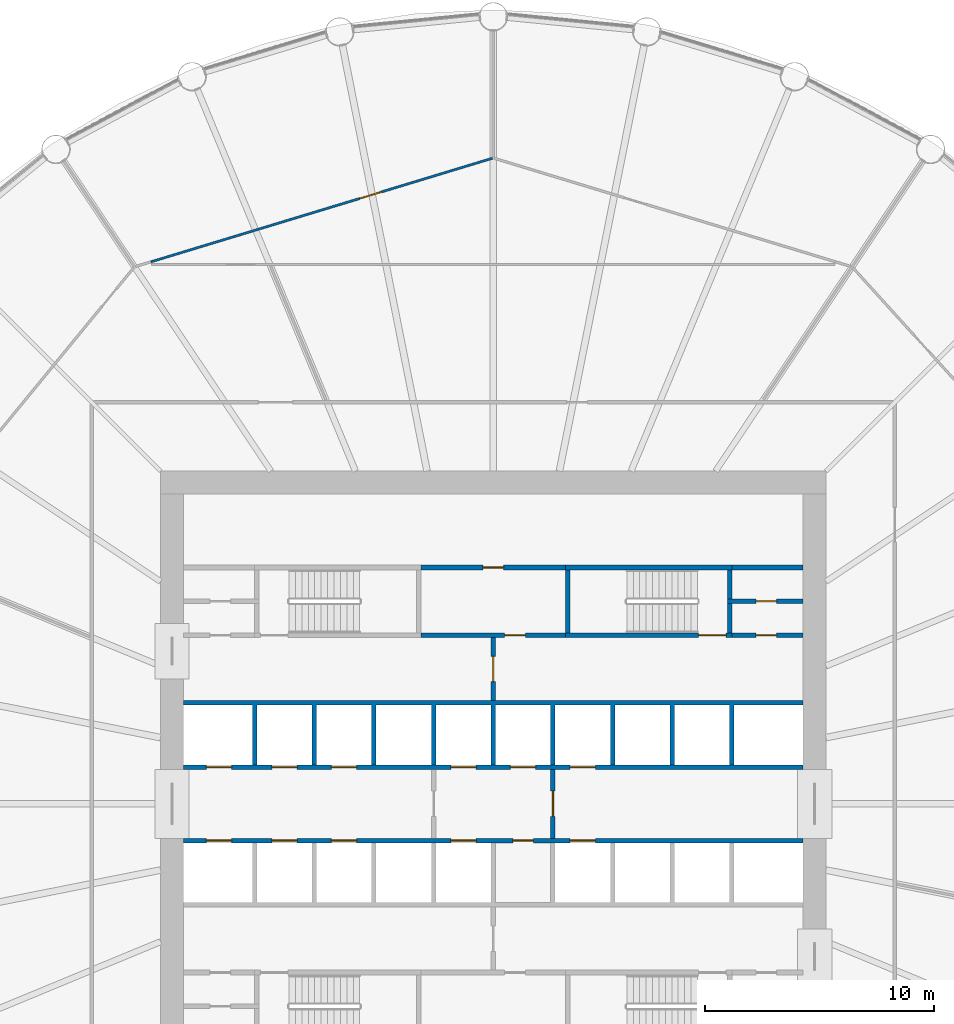
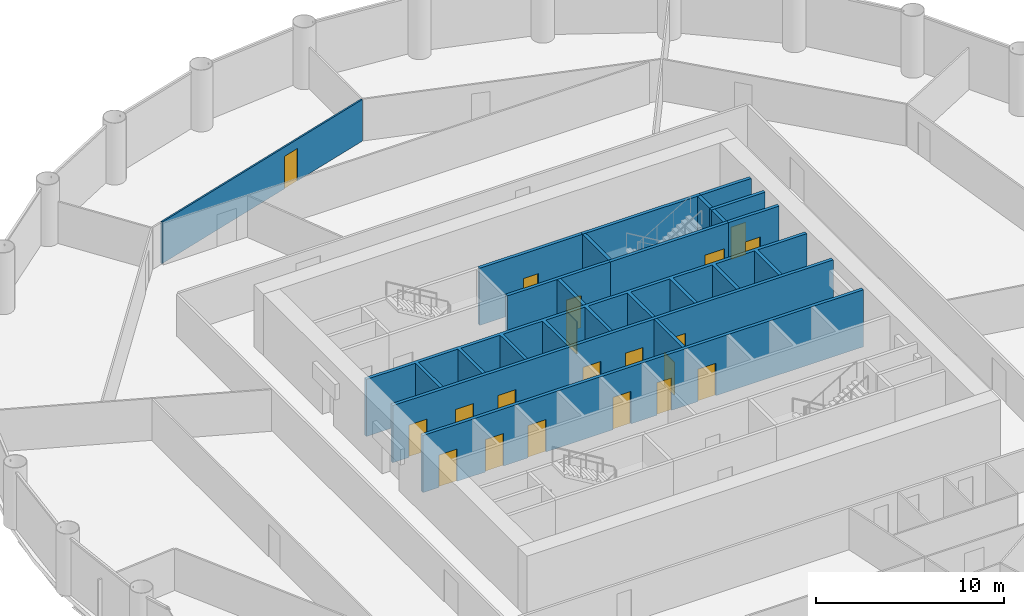
# One storey, part 6 of 8: 20 doors, 16 walls, 20 openings.
"""IFC4 building model written with IfcOpenShell, lengths in metres."""

from ifc_helpers import new_model, si_unit, direction, frame, frame_2d, origin, place, context, subcontext, project, spatial, polyline, rectangle, outline, extrude, material, layer, layer_set, type_object, element, fill, save


model = new_model("IFC4")

# Units and contexts
model_context = context("Model", 3, precision=1e-05, world=origin(), true_north=direction((0.0, 1.0)))
body_context = subcontext(model_context, "Body", "Model", "MODEL_VIEW")
ifc_project = project(units=[si_unit("LENGTHUNIT", "METRE"), si_unit("AREAUNIT", "SQUARE_METRE"), si_unit("VOLUMEUNIT", "CUBIC_METRE"), si_unit("PLANEANGLEUNIT", "RADIAN"), si_unit("MASSUNIT", "GRAM", prefix="KILO")], contexts=[model_context])

# Site, building, storey
site_placement = place(None, origin())
site = spatial("IfcSite", under=ifc_project, at=site_placement, CompositionType="ELEMENT")
building_placement = place(site_placement, origin())
building = spatial("IfcBuilding", under=site, at=building_placement, Name="Corvane Civic Tower", CompositionType="ELEMENT")
storey_placement = place(building_placement, frame((0.0, 0.0, 94.5)))
storey = spatial("IfcBuildingStorey", under=building, at=storey_placement, Name="L21", CompositionType="ELEMENT", Elevation=94.5)

# Wall, openings, doors
ifc_material_1 = material(Name="Concrete C30/37", Category="concrete")
ifc_layer_1 = layer(ifc_material_1, 0.199951171875)
ifc_layer_set_1 = layer_set([ifc_layer_1], Name="Concrete C30/37")
wall_type_1 = type_object("IfcWallType", Name="CR-WALL-200", PredefinedType="PARTITIONING", material=ifc_layer_set_1)
wall_1_placement = place(storey_placement, frame((-13.5, -1.60009765625, 0.0), z_axis=(0.0, 0.0, 1.0), x_axis=(1.0, 0.0, 0.0)))
wall_1 = element("IfcWall", 1, at=wall_1_placement, inside=storey, type_object=wall_type_1, Name="L21 lift shaft wall", PredefinedType="PARTITIONING", context=body_context, shape_type="SweptSolid", body=[
    extrude(rectangle(XDim=27.0, YDim=0.199951171875, at=frame_2d((13.5, 0.0))), origin(), (0.0, 0.0, 1.0), 3.699951171875),
])
opening_1_placement = place(wall_1_placement, frame((1.0, 0.0, 0.0)))
opening_1 = element("IfcOpeningElement", 2, at=opening_1_placement, cuts=wall_1, Name="Opening LD", PredefinedType="OPENING", context=body_context, shape_type="SweptSolid", body=[
    extrude(rectangle(XDim=1.10009765625, YDim=2.10009765625, at=frame_2d((0.550048828125, 1.050048828125))), frame((0.0, 0.10986328125, 0.0), z_axis=(0.0, -1.0, 0.0), x_axis=(1.0, 0.0, 0.0)), (0.0, 0.0, 1.0), 0.219970703125),
])
opening_2_placement = place(wall_1_placement, frame((3.85009765625, 0.0, 0.0)))
opening_2 = element("IfcOpeningElement", 3, at=opening_2_placement, cuts=wall_1, Name="Opening LD", PredefinedType="OPENING", context=body_context, shape_type="SweptSolid", body=[
    extrude(rectangle(XDim=1.10009765625, YDim=2.10009765625, at=frame_2d((0.550048828125, 1.050048828125))), frame((0.0, 0.10986328125, 0.0), z_axis=(0.0, -1.0, 0.0), x_axis=(1.0, 0.0, 0.0)), (0.0, 0.0, 1.0), 0.219970703125),
])
opening_3_placement = place(wall_1_placement, frame((6.449951171875, 0.0, 0.0)))
opening_3 = element("IfcOpeningElement", 4, at=opening_3_placement, cuts=wall_1, Name="Opening LD", PredefinedType="OPENING", context=body_context, shape_type="SweptSolid", body=[
    extrude(rectangle(XDim=1.10009765625, YDim=2.10009765625, at=frame_2d((0.550048828125, 1.050048828125))), frame((0.0, 0.10986328125, 0.0), z_axis=(0.0, -1.0, 0.0), x_axis=(1.0, 0.0, 0.0)), (0.0, 0.0, 1.0), 0.219970703125),
])
opening_4_placement = place(wall_1_placement, frame((11.64990234375, 0.0, 0.0)))
opening_4 = element("IfcOpeningElement", 5, at=opening_4_placement, cuts=wall_1, Name="Opening LD", PredefinedType="OPENING", context=body_context, shape_type="SweptSolid", body=[
    extrude(rectangle(XDim=1.10009765625, YDim=2.10009765625, at=frame_2d((0.550048828125, 1.050048828125))), frame((0.0, 0.10986328125, 0.0), z_axis=(0.0, -1.0, 0.0), x_axis=(1.0, 0.0, 0.0)), (0.0, 0.0, 1.0), 0.219970703125),
])
opening_5_placement = place(wall_1_placement, frame((14.35009765625, 0.0, 0.0)))
opening_5 = element("IfcOpeningElement", 6, at=opening_5_placement, cuts=wall_1, Name="Opening L21.C01", PredefinedType="OPENING", context=body_context, shape_type="SweptSolid", body=[
    extrude(rectangle(XDim=0.89990234375, YDim=2.10009765625, at=frame_2d((0.449951171875, 1.050048828125))), frame((0.0, 0.10986328125, 0.0), z_axis=(0.0, -1.0, 0.0), x_axis=(1.0, 0.0, 0.0)), (0.0, 0.0, 1.0), 0.219970703125),
])
opening_6_placement = place(wall_1_placement, frame((16.85009765625, 0.0, 0.0)))
opening_6 = element("IfcOpeningElement", 7, at=opening_6_placement, cuts=wall_1, Name="Opening LD", PredefinedType="OPENING", context=body_context, shape_type="SweptSolid", body=[
    extrude(rectangle(XDim=1.10009765625, YDim=2.10009765625, at=frame_2d((0.550048828125, 1.050048828125))), frame((0.0, 0.10986328125, 0.0), z_axis=(0.0, -1.0, 0.0), x_axis=(1.0, 0.0, 0.0)), (0.0, 0.0, 1.0), 0.219970703125),
])
ifc_material_2 = material(Name="Steel fire door leaf", Category="steel")
door_type_1 = type_object("IfcDoorType", Name="CR-DOOR-900", OperationType="SINGLE_SWING_LEFT", PredefinedType="DOOR", material=ifc_material_2)
door_1_placement = place(opening_5_placement, origin())
door_1 = element("IfcDoor", 8, at=door_1_placement, inside=storey, type_object=door_type_1, Name="L21 door", OperationType="SINGLE_SWING_LEFT", OverallHeight=2.10009765625, OverallWidth=0.89990234375, PredefinedType="DOOR", context=body_context, shape_type="SweptSolid", body=[
    extrude(rectangle(XDim=0.89990234375, YDim=2.10009765625, at=frame_2d((0.449951171875, 1.050048828125))), frame((0.0, 0.02490234375, 0.0), z_axis=(0.0, -1.0, 0.0), x_axis=(1.0, 0.0, 0.0)), (0.0, 0.0, 1.0), 0.050048828125),
])
fill(opening_5, door_1)
ifc_material_3 = material(Name="Stainless steel 316 door leaves", Category="steel")
door_type_2 = type_object("IfcDoorType", Name="LD", OperationType="DOUBLE_DOOR_SLIDING", PredefinedType="DOOR", material=ifc_material_3)
door_2_placement = place(opening_1_placement, origin())
door_2 = element("IfcDoor", 9, at=door_2_placement, inside=storey, type_object=door_type_2, Name="L21 landing door", OperationType="DOUBLE_DOOR_SLIDING", OverallHeight=2.10009765625, OverallWidth=1.10009765625, PredefinedType="DOOR", context=body_context, shape_type="SweptSolid", body=[
    extrude(rectangle(XDim=1.10009765625, YDim=2.10009765625, at=frame_2d((0.550048828125, 1.050048828125))), frame((0.0, 0.02490234375, 0.0), z_axis=(0.0, -1.0, 0.0), x_axis=(1.0, 0.0, 0.0)), (0.0, 0.0, 1.0), 0.050048828125),
])
fill(opening_1, door_2)
door_3_placement = place(opening_2_placement, origin())
door_3 = element("IfcDoor", 10, at=door_3_placement, inside=storey, type_object=door_type_2, Name="L21 landing door", OperationType="DOUBLE_DOOR_SLIDING", OverallHeight=2.10009765625, OverallWidth=1.10009765625, PredefinedType="DOOR", context=body_context, shape_type="SweptSolid", body=[
    extrude(rectangle(XDim=1.10009765625, YDim=2.10009765625, at=frame_2d((0.550048828125, 1.050048828125))), frame((0.0, 0.02490234375, 0.0), z_axis=(0.0, -1.0, 0.0), x_axis=(1.0, 0.0, 0.0)), (0.0, 0.0, 1.0), 0.050048828125),
])
fill(opening_2, door_3)
door_4_placement = place(opening_3_placement, origin())
door_4 = element("IfcDoor", 11, at=door_4_placement, inside=storey, type_object=door_type_2, Name="L21 landing door", OperationType="DOUBLE_DOOR_SLIDING", OverallHeight=2.10009765625, OverallWidth=1.10009765625, PredefinedType="DOOR", context=body_context, shape_type="SweptSolid", body=[
    extrude(rectangle(XDim=1.10009765625, YDim=2.10009765625, at=frame_2d((0.550048828125, 1.050048828125))), frame((0.0, 0.02490234375, 0.0), z_axis=(0.0, -1.0, 0.0), x_axis=(1.0, 0.0, 0.0)), (0.0, 0.0, 1.0), 0.050048828125),
])
fill(opening_3, door_4)
door_5_placement = place(opening_4_placement, origin())
door_5 = element("IfcDoor", 12, at=door_5_placement, inside=storey, type_object=door_type_2, Name="L21 landing door", OperationType="DOUBLE_DOOR_SLIDING", OverallHeight=2.10009765625, OverallWidth=1.10009765625, PredefinedType="DOOR", context=body_context, shape_type="SweptSolid", body=[
    extrude(rectangle(XDim=1.10009765625, YDim=2.10009765625, at=frame_2d((0.550048828125, 1.050048828125))), frame((0.0, 0.02490234375, 0.0), z_axis=(0.0, -1.0, 0.0), x_axis=(1.0, 0.0, 0.0)), (0.0, 0.0, 1.0), 0.050048828125),
])
fill(opening_4, door_5)
door_6_placement = place(opening_6_placement, origin())
door_6 = element("IfcDoor", 13, at=door_6_placement, inside=storey, type_object=door_type_2, Name="L21 landing door", OperationType="DOUBLE_DOOR_SLIDING", OverallHeight=2.10009765625, OverallWidth=1.10009765625, PredefinedType="DOOR", context=body_context, shape_type="SweptSolid", body=[
    extrude(rectangle(XDim=1.10009765625, YDim=2.10009765625, at=frame_2d((0.550048828125, 1.050048828125))), frame((0.0, 0.02490234375, 0.0), z_axis=(0.0, -1.0, 0.0), x_axis=(1.0, 0.0, 0.0)), (0.0, 0.0, 1.0), 0.050048828125),
])
fill(opening_6, door_6)

wall_2_placement = place(storey_placement, frame((-13.5, 1.60009765625, 0.0), z_axis=(0.0, 0.0, 1.0), x_axis=(1.0, 0.0, 0.0)))
wall_2 = element("IfcWall", 14, at=wall_2_placement, inside=storey, type_object=wall_type_1, Name="L21 lift shaft wall", PredefinedType="PARTITIONING", context=body_context, shape_type="SweptSolid", body=[
    extrude(rectangle(XDim=27.0, YDim=0.199951171875, at=frame_2d((13.5, 0.0))), origin(), (0.0, 0.0, 1.0), 3.699951171875),
])
opening_7_placement = place(wall_2_placement, frame((1.0, 0.0, 0.0)))
opening_7 = element("IfcOpeningElement", 15, at=opening_7_placement, cuts=wall_2, Name="Opening LD", PredefinedType="OPENING", context=body_context, shape_type="SweptSolid", body=[
    extrude(rectangle(XDim=1.10009765625, YDim=2.10009765625, at=frame_2d((0.550048828125, 1.050048828125))), frame((0.0, 0.10986328125, 0.0), z_axis=(0.0, -1.0, 0.0), x_axis=(1.0, 0.0, 0.0)), (0.0, 0.0, 1.0), 0.219970703125),
])
opening_8_placement = place(wall_2_placement, frame((3.85009765625, 0.0, 0.0)))
opening_8 = element("IfcOpeningElement", 16, at=opening_8_placement, cuts=wall_2, Name="Opening LD", PredefinedType="OPENING", context=body_context, shape_type="SweptSolid", body=[
    extrude(rectangle(XDim=1.10009765625, YDim=2.10009765625, at=frame_2d((0.550048828125, 1.050048828125))), frame((0.0, 0.10986328125, 0.0), z_axis=(0.0, -1.0, 0.0), x_axis=(1.0, 0.0, 0.0)), (0.0, 0.0, 1.0), 0.219970703125),
])
opening_9_placement = place(wall_2_placement, frame((6.449951171875, 0.0, 0.0)))
opening_9 = element("IfcOpeningElement", 17, at=opening_9_placement, cuts=wall_2, Name="Opening LD", PredefinedType="OPENING", context=body_context, shape_type="SweptSolid", body=[
    extrude(rectangle(XDim=1.10009765625, YDim=2.10009765625, at=frame_2d((0.550048828125, 1.050048828125))), frame((0.0, 0.10986328125, 0.0), z_axis=(0.0, -1.0, 0.0), x_axis=(1.0, 0.0, 0.0)), (0.0, 0.0, 1.0), 0.219970703125),
])
opening_10_placement = place(wall_2_placement, frame((11.64990234375, 0.0, 0.0)))
opening_10 = element("IfcOpeningElement", 18, at=opening_10_placement, cuts=wall_2, Name="Opening LD", PredefinedType="OPENING", context=body_context, shape_type="SweptSolid", body=[
    extrude(rectangle(XDim=1.10009765625, YDim=2.10009765625, at=frame_2d((0.550048828125, 1.050048828125))), frame((0.0, 0.10986328125, 0.0), z_axis=(0.0, -1.0, 0.0), x_axis=(1.0, 0.0, 0.0)), (0.0, 0.0, 1.0), 0.219970703125),
])
opening_11_placement = place(wall_2_placement, frame((14.25, 0.0, 0.0)))
opening_11 = element("IfcOpeningElement", 19, at=opening_11_placement, cuts=wall_2, Name="Opening LD", PredefinedType="OPENING", context=body_context, shape_type="SweptSolid", body=[
    extrude(rectangle(XDim=1.10009765625, YDim=2.10009765625, at=frame_2d((0.550048828125, 1.050048828125))), frame((0.0, 0.10986328125, 0.0), z_axis=(0.0, -1.0, 0.0), x_axis=(1.0, 0.0, 0.0)), (0.0, 0.0, 1.0), 0.219970703125),
])
opening_12_placement = place(wall_2_placement, frame((16.85009765625, 0.0, 0.0)))
opening_12 = element("IfcOpeningElement", 20, at=opening_12_placement, cuts=wall_2, Name="Opening LD", PredefinedType="OPENING", context=body_context, shape_type="SweptSolid", body=[
    extrude(rectangle(XDim=1.10009765625, YDim=2.10009765625, at=frame_2d((0.550048828125, 1.050048828125))), frame((0.0, 0.10986328125, 0.0), z_axis=(0.0, -1.0, 0.0), x_axis=(1.0, 0.0, 0.0)), (0.0, 0.0, 1.0), 0.219970703125),
])
door_7_placement = place(opening_7_placement, origin())
door_7 = element("IfcDoor", 21, at=door_7_placement, inside=storey, type_object=door_type_2, Name="L21 landing door", OperationType="DOUBLE_DOOR_SLIDING", OverallHeight=2.10009765625, OverallWidth=1.10009765625, PredefinedType="DOOR", context=body_context, shape_type="SweptSolid", body=[
    extrude(rectangle(XDim=1.10009765625, YDim=2.10009765625, at=frame_2d((0.550048828125, 1.050048828125))), frame((0.0, 0.02490234375, 0.0), z_axis=(0.0, -1.0, 0.0), x_axis=(1.0, 0.0, 0.0)), (0.0, 0.0, 1.0), 0.050048828125),
])
fill(opening_7, door_7)
door_8_placement = place(opening_8_placement, origin())
door_8 = element("IfcDoor", 22, at=door_8_placement, inside=storey, type_object=door_type_2, Name="L21 landing door", OperationType="DOUBLE_DOOR_SLIDING", OverallHeight=2.10009765625, OverallWidth=1.10009765625, PredefinedType="DOOR", context=body_context, shape_type="SweptSolid", body=[
    extrude(rectangle(XDim=1.10009765625, YDim=2.10009765625, at=frame_2d((0.550048828125, 1.050048828125))), frame((0.0, 0.02490234375, 0.0), z_axis=(0.0, -1.0, 0.0), x_axis=(1.0, 0.0, 0.0)), (0.0, 0.0, 1.0), 0.050048828125),
])
fill(opening_8, door_8)
door_9_placement = place(opening_9_placement, origin())
door_9 = element("IfcDoor", 23, at=door_9_placement, inside=storey, type_object=door_type_2, Name="L21 landing door", OperationType="DOUBLE_DOOR_SLIDING", OverallHeight=2.10009765625, OverallWidth=1.10009765625, PredefinedType="DOOR", context=body_context, shape_type="SweptSolid", body=[
    extrude(rectangle(XDim=1.10009765625, YDim=2.10009765625, at=frame_2d((0.550048828125, 1.050048828125))), frame((0.0, 0.02490234375, 0.0), z_axis=(0.0, -1.0, 0.0), x_axis=(1.0, 0.0, 0.0)), (0.0, 0.0, 1.0), 0.050048828125),
])
fill(opening_9, door_9)
door_10_placement = place(opening_10_placement, origin())
door_10 = element("IfcDoor", 24, at=door_10_placement, inside=storey, type_object=door_type_2, Name="L21 landing door", OperationType="DOUBLE_DOOR_SLIDING", OverallHeight=2.10009765625, OverallWidth=1.10009765625, PredefinedType="DOOR", context=body_context, shape_type="SweptSolid", body=[
    extrude(rectangle(XDim=1.10009765625, YDim=2.10009765625, at=frame_2d((0.550048828125, 1.050048828125))), frame((0.0, 0.02490234375, 0.0), z_axis=(0.0, -1.0, 0.0), x_axis=(1.0, 0.0, 0.0)), (0.0, 0.0, 1.0), 0.050048828125),
])
fill(opening_10, door_10)
door_11_placement = place(opening_11_placement, origin())
door_11 = element("IfcDoor", 25, at=door_11_placement, inside=storey, type_object=door_type_2, Name="L21 landing door", OperationType="DOUBLE_DOOR_SLIDING", OverallHeight=2.10009765625, OverallWidth=1.10009765625, PredefinedType="DOOR", context=body_context, shape_type="SweptSolid", body=[
    extrude(rectangle(XDim=1.10009765625, YDim=2.10009765625, at=frame_2d((0.550048828125, 1.050048828125))), frame((0.0, 0.02490234375, 0.0), z_axis=(0.0, -1.0, 0.0), x_axis=(1.0, 0.0, 0.0)), (0.0, 0.0, 1.0), 0.050048828125),
])
fill(opening_11, door_11)
door_12_placement = place(opening_12_placement, origin())
door_12 = element("IfcDoor", 26, at=door_12_placement, inside=storey, type_object=door_type_2, Name="L21 landing door", OperationType="DOUBLE_DOOR_SLIDING", OverallHeight=2.10009765625, OverallWidth=1.10009765625, PredefinedType="DOOR", context=body_context, shape_type="SweptSolid", body=[
    extrude(rectangle(XDim=1.10009765625, YDim=2.10009765625, at=frame_2d((0.550048828125, 1.050048828125))), frame((0.0, 0.02490234375, 0.0), z_axis=(0.0, -1.0, 0.0), x_axis=(1.0, 0.0, 0.0)), (0.0, 0.0, 1.0), 0.050048828125),
])
fill(opening_12, door_12)

# Wall, opening, door
wall_3_placement = place(storey_placement, frame((-3.14990234375, 7.35009765625, 0.0), z_axis=(0.0, 0.0, 1.0), x_axis=(1.0, 0.0, 0.0)))
wall_3 = element("IfcWall", 27, at=wall_3_placement, inside=storey, type_object=wall_type_1, Name="L21 partition wall", PredefinedType="PARTITIONING", context=body_context, shape_type="SweptSolid", body=[
    extrude(rectangle(XDim=6.2998046875, YDim=0.199951171875, at=frame_2d((3.14990234375, 0.0))), origin(), (0.0, 0.0, 1.0), 3.699951171875),
])
opening_13_placement = place(wall_3_placement, frame((3.64990234375, 0.0, 0.0)))
opening_13 = element("IfcOpeningElement", 28, at=opening_13_placement, cuts=wall_3, Name="Opening L21.C02", PredefinedType="OPENING", context=body_context, shape_type="SweptSolid", body=[
    extrude(rectangle(XDim=0.89990234375, YDim=2.10009765625, at=frame_2d((0.449951171875, 1.050048828125))), frame((0.0, 0.10986328125, 0.0), z_axis=(0.0, -1.0, 0.0), x_axis=(1.0, 0.0, 0.0)), (0.0, 0.0, 1.0), 0.219970703125),
])
door_13_placement = place(opening_13_placement, origin())
door_13 = element("IfcDoor", 29, at=door_13_placement, inside=storey, type_object=door_type_1, Name="L21 door", OperationType="SINGLE_SWING_LEFT", OverallHeight=2.10009765625, OverallWidth=0.89990234375, PredefinedType="DOOR", context=body_context, shape_type="SweptSolid", body=[
    extrude(rectangle(XDim=0.89990234375, YDim=2.10009765625, at=frame_2d((0.449951171875, 1.050048828125))), frame((0.0, 0.02490234375, 0.0), z_axis=(0.0, -1.0, 0.0), x_axis=(1.0, 0.0, 0.0)), (0.0, 0.0, 1.0), 0.050048828125),
])
fill(opening_13, door_13)

wall_4_placement = place(storey_placement, frame((10.39990234375, 7.35009765625, 0.0), z_axis=(0.0, 0.0, 1.0), x_axis=(1.0, 0.0, 0.0)))
wall_4 = element("IfcWall", 30, at=wall_4_placement, inside=storey, type_object=wall_type_1, Name="L21 core partition wall", PredefinedType="PARTITIONING", context=body_context, shape_type="SweptSolid", body=[
    extrude(rectangle(XDim=3.10009765625, YDim=0.199951171875, at=frame_2d((1.550048828125, 0.0))), origin(), (0.0, 0.0, 1.0), 3.699951171875),
])
opening_14_placement = place(wall_4_placement, frame((1.050048828125, 0.0, 0.0)))
opening_14 = element("IfcOpeningElement", 31, at=opening_14_placement, cuts=wall_4, Name="Opening L21.C10", PredefinedType="OPENING", context=body_context, shape_type="SweptSolid", body=[
    extrude(rectangle(XDim=0.89990234375, YDim=2.10009765625, at=frame_2d((0.449951171875, 1.050048828125))), frame((0.0, 0.10986328125, 0.0), z_axis=(0.0, -1.0, 0.0), x_axis=(1.0, 0.0, 0.0)), (0.0, 0.0, 1.0), 0.219970703125),
])
door_14_placement = place(opening_14_placement, origin())
door_14 = element("IfcDoor", 32, at=door_14_placement, inside=storey, type_object=door_type_1, Name="L21 door", OperationType="SINGLE_SWING_LEFT", OverallHeight=2.10009765625, OverallWidth=0.89990234375, PredefinedType="DOOR", context=body_context, shape_type="SweptSolid", body=[
    extrude(rectangle(XDim=0.89990234375, YDim=2.10009765625, at=frame_2d((0.449951171875, 1.050048828125))), frame((0.0, 0.02490234375, 0.0), z_axis=(0.0, -1.0, 0.0), x_axis=(1.0, 0.0, 0.0)), (0.0, 0.0, 1.0), 0.050048828125),
])
fill(opening_14, door_14)

wall_5_placement = place(storey_placement, frame((10.199951171875, 8.824951171875, 0.0), z_axis=(0.0, 0.0, 1.0), x_axis=(1.0, 0.0, 0.0)))
wall_5 = element("IfcWall", 33, at=wall_5_placement, inside=storey, type_object=wall_type_1, Name="L21 partition wall", PredefinedType="PARTITIONING", context=body_context, shape_type="SweptSolid", body=[
    extrude(rectangle(XDim=3.300048828125, YDim=0.199951171875, at=frame_2d((1.64990234375, 0.0))), origin(), (0.0, 0.0, 1.0), 3.699951171875),
])
opening_15_placement = place(wall_5_placement, frame((1.25, 0.0, 0.0)))
opening_15 = element("IfcOpeningElement", 34, at=opening_15_placement, cuts=wall_5, Name="Opening L21.C11", PredefinedType="OPENING", context=body_context, shape_type="SweptSolid", body=[
    extrude(rectangle(XDim=0.89990234375, YDim=2.10009765625, at=frame_2d((0.449951171875, 1.050048828125))), frame((0.0, 0.10986328125, 0.0), z_axis=(0.0, -1.0, 0.0), x_axis=(1.0, 0.0, 0.0)), (0.0, 0.0, 1.0), 0.219970703125),
])
door_15_placement = place(opening_15_placement, origin())
door_15 = element("IfcDoor", 35, at=door_15_placement, inside=storey, type_object=door_type_1, Name="L21 door", OperationType="SINGLE_SWING_LEFT", OverallHeight=2.10009765625, OverallWidth=0.89990234375, PredefinedType="DOOR", context=body_context, shape_type="SweptSolid", body=[
    extrude(rectangle(XDim=0.89990234375, YDim=2.10009765625, at=frame_2d((0.449951171875, 1.050048828125))), frame((0.0, 0.02490234375, 0.0), z_axis=(0.0, -1.0, 0.0), x_axis=(1.0, 0.0, 0.0)), (0.0, 0.0, 1.0), 0.050048828125),
])
fill(opening_15, door_15)

wall_6_placement = place(storey_placement, frame((-3.14990234375, 10.300048828125, 0.0), z_axis=(0.0, 0.0, 1.0), x_axis=(1.0, 0.0, 0.0)))
wall_6 = element("IfcWall", 36, at=wall_6_placement, inside=storey, type_object=wall_type_1, Name="L21 partition wall", PredefinedType="PARTITIONING", context=body_context, shape_type="SweptSolid", body=[
    extrude(rectangle(XDim=6.2998046875, YDim=0.199951171875, at=frame_2d((3.14990234375, 0.0))), origin(), (0.0, 0.0, 1.0), 3.699951171875),
])
opening_16_placement = place(wall_6_placement, frame((2.699951171875, 0.0, 0.0)))
opening_16 = element("IfcOpeningElement", 37, at=opening_16_placement, cuts=wall_6, Name="Opening L21.C04", PredefinedType="OPENING", context=body_context, shape_type="SweptSolid", body=[
    extrude(rectangle(XDim=0.89990234375, YDim=2.10009765625, at=frame_2d((0.449951171875, 1.050048828125))), frame((0.0, 0.10986328125, 0.0), z_axis=(0.0, -1.0, 0.0), x_axis=(1.0, 0.0, 0.0)), (0.0, 0.0, 1.0), 0.219970703125),
])
door_16_placement = place(opening_16_placement, origin())
door_16 = element("IfcDoor", 38, at=door_16_placement, inside=storey, type_object=door_type_1, Name="L21 door", OperationType="SINGLE_SWING_LEFT", OverallHeight=2.10009765625, OverallWidth=0.89990234375, PredefinedType="DOOR", context=body_context, shape_type="SweptSolid", body=[
    extrude(rectangle(XDim=0.89990234375, YDim=2.10009765625, at=frame_2d((0.449951171875, 1.050048828125))), frame((0.0, 0.02490234375, 0.0), z_axis=(0.0, -1.0, 0.0), x_axis=(1.0, 0.0, 0.0)), (0.0, 0.0, 1.0), 0.050048828125),
])
fill(opening_16, door_16)

wall_7_placement = place(storey_placement, frame((0.0, 4.5, 0.0), z_axis=(0.0, 0.0, 1.0), x_axis=(0.0, 1.0, 0.0)))
wall_7 = element("IfcWall", 39, at=wall_7_placement, inside=storey, type_object=wall_type_1, Name="L21 core partition wall", PredefinedType="PARTITIONING", context=body_context, shape_type="SweptSolid", body=[
    extrude(rectangle(XDim=2.75, YDim=0.199951171875, at=frame_2d((1.375, 0.0))), origin(), (0.0, 0.0, 1.0), 3.699951171875),
])
opening_17_placement = place(wall_7_placement, frame((0.824951171875, 0.0, 0.0)))
opening_17 = element("IfcOpeningElement", 40, at=opening_17_placement, cuts=wall_7, Name="Opening L21.C20", PredefinedType="OPENING", context=body_context, shape_type="SweptSolid", body=[
    extrude(rectangle(XDim=1.10009765625, YDim=2.10009765625, at=frame_2d((0.550048828125, 1.050048828125))), frame((0.0, 0.10986328125, 0.0), z_axis=(0.0, -1.0, 0.0), x_axis=(1.0, 0.0, 0.0)), (0.0, 0.0, 1.0), 0.219970703125),
])
ifc_material_4 = material(Name="Steel fire door leaf", Category="steel")
door_type_3 = type_object("IfcDoorType", Name="CR-DOOR-FFL-1100", OperationType="SINGLE_SWING_LEFT", PredefinedType="DOOR", material=ifc_material_4)
door_17_placement = place(opening_17_placement, origin())
door_17 = element("IfcDoor", 41, at=door_17_placement, inside=storey, type_object=door_type_3, Name="L21 lobby door", OperationType="SINGLE_SWING_LEFT", OverallHeight=2.10009765625, OverallWidth=1.10009765625, PredefinedType="DOOR", context=body_context, shape_type="SweptSolid", body=[
    extrude(rectangle(XDim=1.10009765625, YDim=2.10009765625, at=frame_2d((0.550048828125, 1.050048828125))), frame((0.0, 0.02490234375, 0.0), z_axis=(0.0, -1.0, 0.0), x_axis=(1.0, 0.0, 0.0)), (0.0, 0.0, 1.0), 0.050048828125),
])
fill(opening_17, door_17)

wall_8_placement = place(storey_placement, frame((2.60009765625, -1.5, 0.0), z_axis=(0.0, 0.0, 1.0), x_axis=(0.0, 1.0, 0.0)))
wall_8 = element("IfcWall", 42, at=wall_8_placement, inside=storey, type_object=wall_type_1, Name="L21 firefighting lobby wall", PredefinedType="PARTITIONING", context=body_context, shape_type="SweptSolid", body=[
    extrude(rectangle(XDim=3.0, YDim=0.199951171875, at=frame_2d((1.5, 0.0))), origin(), (0.0, 0.0, 1.0), 3.699951171875),
])
opening_18_placement = place(wall_8_placement, frame((0.949951171875, 0.0, 0.0)))
opening_18 = element("IfcOpeningElement", 43, at=opening_18_placement, cuts=wall_8, Name="Opening L21.C19", PredefinedType="OPENING", context=body_context, shape_type="SweptSolid", body=[
    extrude(rectangle(XDim=1.10009765625, YDim=2.10009765625, at=frame_2d((0.550048828125, 1.050048828125))), frame((0.0, 0.10986328125, 0.0), z_axis=(0.0, -1.0, 0.0), x_axis=(1.0, 0.0, 0.0)), (0.0, 0.0, 1.0), 0.219970703125),
])
door_18_placement = place(opening_18_placement, origin())
door_18 = element("IfcDoor", 44, at=door_18_placement, inside=storey, type_object=door_type_3, Name="L21 lobby door", OperationType="SINGLE_SWING_LEFT", OverallHeight=2.10009765625, OverallWidth=1.10009765625, PredefinedType="DOOR", context=body_context, shape_type="SweptSolid", body=[
    extrude(rectangle(XDim=1.10009765625, YDim=2.10009765625, at=frame_2d((0.550048828125, 1.050048828125))), frame((0.0, 0.02490234375, 0.0), z_axis=(0.0, -1.0, 0.0), x_axis=(1.0, 0.0, 0.0)), (0.0, 0.0, 1.0), 0.050048828125),
])
fill(opening_18, door_18)

# Walls
wall_9_placement = place(storey_placement, origin())
element("IfcWall", 45, at=wall_9_placement, inside=storey, type_object=wall_type_1, Name="L21 core partition wall", PredefinedType="PARTITIONING", context=body_context, shape_type="SweptSolid", body=[
    extrude(outline(polyline([(-7.699951171875, 4.300048828125), (-7.699951171875, 1.699951171875), (-7.89990234375, 1.699951171875), (-7.89990234375, 4.300048828125), (-10.300048828125, 4.300048828125), (-10.300048828125, 1.699951171875), (-10.5, 1.699951171875), (-10.5, 4.300048828125), (-13.5, 4.300048828125), (-13.5, 4.5), (13.5, 4.5), (13.5, 4.300048828125), (10.5, 4.300048828125), (10.5, 1.699951171875), (10.300048828125, 1.699951171875), (10.300048828125, 4.300048828125), (7.89990234375, 4.300048828125), (7.89990234375, 1.699951171875), (7.699951171875, 1.699951171875), (7.699951171875, 4.300048828125), (5.300048828125, 4.300048828125), (5.300048828125, 1.699951171875), (5.10009765625, 1.699951171875), (5.10009765625, 4.300048828125), (2.699951171875, 4.300048828125), (2.699951171875, 1.699951171875), (2.5, 1.699951171875), (2.5, 4.300048828125), (0.10009765625, 4.300048828125), (0.10009765625, 1.699951171875), (-0.10009765625, 1.699951171875), (-0.10009765625, 4.300048828125), (-2.5, 4.300048828125), (-2.5, 1.699951171875), (-2.699951171875, 1.699951171875), (-2.699951171875, 4.300048828125), (-5.10009765625, 4.300048828125), (-5.10009765625, 1.699951171875), (-5.300048828125, 1.699951171875), (-5.300048828125, 4.300048828125), (-7.699951171875, 4.300048828125)])), origin(), (0.0, 0.0, 1.0), 3.699951171875),
])
wall_10_placement = place(storey_placement, origin())
element("IfcWall", 46, at=wall_10_placement, inside=storey, type_object=wall_type_1, Name="L21 core partition wall", PredefinedType="PARTITIONING", context=body_context, shape_type="SweptSolid", body=[
    extrude(outline(polyline([(10.39990234375, 10.199951171875), (10.39990234375, 10.39990234375), (13.5, 10.39990234375), (13.5, 10.199951171875), (10.39990234375, 10.199951171875)])), origin(), (0.0, 0.0, 1.0), 3.699951171875),
])

# Wall, opening, door
ifc_material_5 = material(Name="Plasterboard")
ifc_layer_2 = layer(ifc_material_5, 0.10009765625)
ifc_layer_set_2 = layer_set([ifc_layer_2], Name="Plasterboard")
wall_type_2 = type_object("IfcWallType", Name="Partition 100 plasterboard on studs", PredefinedType="PARTITIONING", material=ifc_layer_set_2)
wall_11_placement = place(storey_placement, frame((-14.921142578125, 23.6162109375, 0.0), z_axis=(0.0, 0.0, 1.0), x_axis=(0.956938827211, 0.290289650136, 0.0)))
wall_11 = element("IfcWall", 47, at=wall_11_placement, inside=storey, type_object=wall_type_2, Name="Partition L21.036", PredefinedType="PARTITIONING", context=body_context, shape_type="SweptSolid", body=[
    extrude(rectangle(XDim=15.5556640625, YDim=0.10009765625, at=frame_2d((7.77783203125, 0.0))), origin(), (0.0, 0.0, 1.0), 2.699951171875),
])
opening_19_placement = place(wall_11_placement, frame((9.510009765625, 0.0, 0.0)))
opening_19 = element("IfcOpeningElement", 48, at=opening_19_placement, cuts=wall_11, Name="Opening L21.005", PredefinedType="OPENING", context=body_context, shape_type="SweptSolid", body=[
    extrude(rectangle(XDim=1.0, YDim=2.10009765625, at=frame_2d((0.5, 1.050048828125))), frame((0.0, 0.06005859375, 0.0), z_axis=(0.0, -1.0, 0.0), x_axis=(1.0, 0.0, 0.0)), (0.0, 0.0, 1.0), 0.1201171875),
])
ifc_material_6 = material(Name="Timber", Category="wood")
door_type_4 = type_object("IfcDoorType", Name="Single door 1000", OperationType="NOTDEFINED", PredefinedType="DOOR", material=ifc_material_6)
door_19_placement = place(opening_19_placement, origin())
door_19 = element("IfcDoor", 49, at=door_19_placement, inside=storey, type_object=door_type_4, Name="Door L21.005", OperationType="SINGLE_SWING_LEFT", OverallHeight=2.10009765625, OverallWidth=1.0, PredefinedType="DOOR", context=body_context, shape_type="SweptSolid", body=[
    extrude(rectangle(XDim=1.0, YDim=2.10009765625, at=frame_2d((0.5, 1.050048828125))), frame((0.0, 0.02490234375, 0.0), z_axis=(0.0, -1.0, 0.0), x_axis=(1.0, 0.0, 0.0)), (0.0, 0.0, 1.0), 0.050048828125),
])
fill(opening_19, door_19)

ifc_material_7 = material(Name="Concrete C50/60", Category="concrete")
ifc_layer_3 = layer(ifc_material_7, 0.199951171875)
ifc_layer_set_3 = layer_set([ifc_layer_3], Name="Concrete C50/60")
wall_type_3 = type_object("IfcWallType", Name="ST-WALL-200", PredefinedType="SHEAR", material=ifc_layer_set_3)
wall_12_placement = place(storey_placement, frame((3.14990234375, 7.35009765625, 0.0), z_axis=(0.0, 0.0, 1.0), x_axis=(1.0, 0.0, 0.0)))
wall_12 = element("IfcWall", 50, at=wall_12_placement, inside=storey, type_object=wall_type_3, Name="L21 stair enclosure wall", PredefinedType="SHEAR", context=body_context, shape_type="SweptSolid", body=[
    extrude(rectangle(XDim=7.25, YDim=0.199951171875, at=frame_2d((3.625, 0.0))), origin(), (0.0, 0.0, 1.0), 3.699951171875),
])
opening_20_placement = place(wall_12_placement, frame((5.800048828125, 0.0, 0.0)))
opening_20 = element("IfcOpeningElement", 51, at=opening_20_placement, cuts=wall_12, Name="Opening L21.C14", PredefinedType="OPENING", context=body_context, shape_type="SweptSolid", body=[
    extrude(rectangle(XDim=1.199951171875, YDim=2.10009765625, at=frame_2d((0.60009765625, 1.050048828125))), frame((0.0, 0.10986328125, 0.0), z_axis=(0.0, -1.0, 0.0), x_axis=(1.0, 0.0, 0.0)), (0.0, 0.0, 1.0), 0.219970703125),
])
ifc_material_8 = material(Name="Steel fire door leaf", Category="steel")
door_type_5 = type_object("IfcDoorType", Name="ST-DOOR-1200", OperationType="SINGLE_SWING_RIGHT", PredefinedType="DOOR", material=ifc_material_8)
door_20_placement = place(opening_20_placement, origin())
door_20 = element("IfcDoor", 52, at=door_20_placement, inside=storey, type_object=door_type_5, Name="L21 stair door", OperationType="SINGLE_SWING_RIGHT", OverallHeight=2.10009765625, OverallWidth=1.199951171875, PredefinedType="DOOR", context=body_context, shape_type="SweptSolid", body=[
    extrude(rectangle(XDim=1.199951171875, YDim=2.10009765625, at=frame_2d((0.60009765625, 1.050048828125))), frame((0.0, 0.02490234375, 0.0), z_axis=(0.0, -1.0, 0.0), x_axis=(1.0, 0.0, 0.0)), (0.0, 0.0, 1.0), 0.050048828125),
])
fill(opening_20, door_20)

# Walls
wall_13_placement = place(storey_placement, origin())
element("IfcWall", 53, at=wall_13_placement, inside=storey, type_object=wall_type_3, Name="L21 stair enclosure wall", PredefinedType="SHEAR", context=body_context, shape_type="SweptSolid", body=[
    extrude(outline(polyline([(10.39990234375, 10.199951171875), (3.14990234375, 10.199951171875), (3.14990234375, 10.39990234375), (10.39990234375, 10.39990234375), (10.39990234375, 10.199951171875)])), origin(), (0.0, 0.0, 1.0), 3.699951171875),
])
wall_14_placement = place(storey_placement, origin())
element("IfcWall", 54, at=wall_14_placement, inside=storey, type_object=wall_type_3, Name="L21 stair enclosure wall", PredefinedType="SHEAR", context=body_context, shape_type="SweptSolid", body=[
    extrude(outline(polyline([(3.35009765625, 7.449951171875), (3.14990234375, 7.449951171875), (3.14990234375, 10.199951171875), (3.35009765625, 10.199951171875), (3.35009765625, 7.449951171875)])), origin(), (0.0, 0.0, 1.0), 3.699951171875),
])
wall_15_placement = place(storey_placement, origin())
element("IfcWall", 55, at=wall_15_placement, inside=storey, type_object=wall_type_3, Name="L21 stair enclosure wall", PredefinedType="SHEAR", context=body_context, shape_type="SweptSolid", body=[
    extrude(outline(polyline([(10.39990234375, 8.72509765625), (10.39990234375, 7.449951171875), (10.199951171875, 7.449951171875), (10.199951171875, 8.72509765625), (10.39990234375, 8.72509765625)])), origin(), (0.0, 0.0, 1.0), 3.699951171875),
])
wall_16_placement = place(storey_placement, origin())
element("IfcWall", 56, at=wall_16_placement, inside=storey, type_object=wall_type_3, Name="L21 stair enclosure wall", PredefinedType="SHEAR", context=body_context, shape_type="SweptSolid", body=[
    extrude(outline(polyline([(10.39990234375, 8.925048828125), (10.199951171875, 8.925048828125), (10.199951171875, 10.199951171875), (10.39990234375, 10.199951171875), (10.39990234375, 8.925048828125)])), origin(), (0.0, 0.0, 1.0), 3.699951171875),
])

save(model, "model.ifc")
